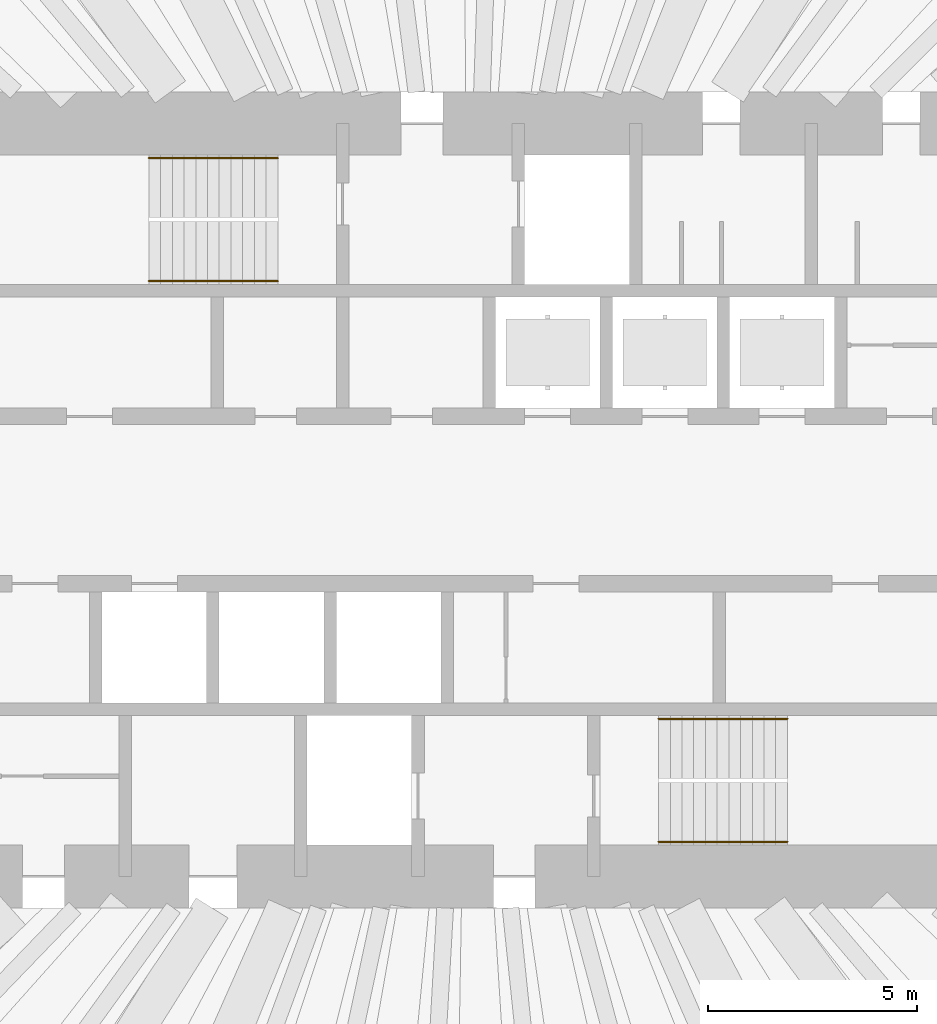
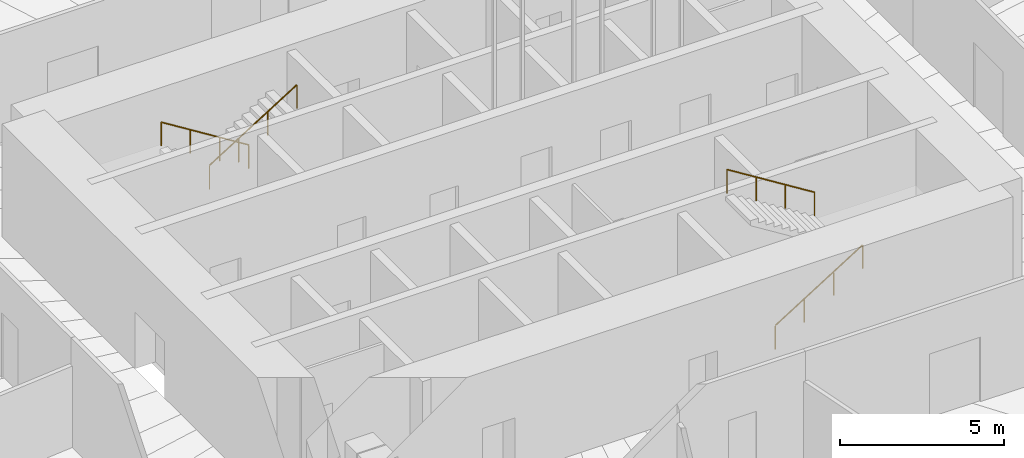
# One storey, part 13 of 20: 4 railings.
"""IFC4 building model written with IfcOpenShell, lengths in metres."""

from ifc_helpers import new_model, si_unit, direction, frame, origin, origin_2d, place, context, subcontext, project, spatial, circle, extrude, material, type_object, element, save


model = new_model("IFC4")

# Units and contexts
model_context = context("Model", 3, precision=1e-05, world=origin(), true_north=direction((0.0, 1.0)))
body_context = subcontext(model_context, "Body", "Model", "MODEL_VIEW")
ifc_project = project(units=[si_unit("LENGTHUNIT", "METRE"), si_unit("AREAUNIT", "SQUARE_METRE"), si_unit("VOLUMEUNIT", "CUBIC_METRE"), si_unit("PLANEANGLEUNIT", "RADIAN"), si_unit("MASSUNIT", "GRAM", prefix="KILO")], contexts=[model_context])

# Site, building, storey
site_placement = place(None, origin())
site = spatial("IfcSite", under=ifc_project, at=site_placement, CompositionType="ELEMENT")
building_placement = place(site_placement, origin())
building = spatial("IfcBuilding", under=site, at=building_placement, Name="Qingtian Harvest Tower", CompositionType="ELEMENT")
storey_placement = place(building_placement, frame((0.0, 0.0, 103.0)))
storey = spatial("IfcBuildingStorey", under=building, at=storey_placement, Name="L20", CompositionType="ELEMENT", Elevation=103.0)

# Railings
ifc_material = material(Name="Stainless steel handrail", Category="steel")
railing_type = type_object("IfcRailingType", Name="Handrail HR1", PredefinedType="HANDRAIL", material=ifc_material)
railing_1_placement = place(storey_placement, frame((-4.550048828125, 8.169921875, 0.175048828125)))
element("IfcRailing", 1, at=railing_1_placement, inside=storey, type_object=railing_type, Name="Handrail HR1 S1 flight 1", PredefinedType="HANDRAIL", context=body_context, shape_type="SweptSolid", body=[
    extrude(circle(Radius=0.02392578125, at=origin_2d()), frame((0.0, 0.0, 0.8759765625), z_axis=(-0.847979421464, 0.0, 0.530029150871), x_axis=(0.0, -1.0, 0.0)), (0.0, 0.0, 1.0), 3.632080078125),
    extrude(circle(Radius=0.02099609375, at=origin_2d()), origin(), (0.0, 0.0, 1.0), 0.851806640625),
    extrude(circle(Radius=0.02099609375, at=origin_2d()), frame((-1.026611328125, 0.0, 0.6416015625)), (0.0, 0.0, 1.0), 0.851806640625),
    extrude(circle(Radius=0.02099609375, at=origin_2d()), frame((-2.05322265625, 0.0, 1.283447265625)), (0.0, 0.0, 1.0), 0.851806640625),
    extrude(circle(Radius=0.02099609375, at=origin_2d()), frame((-3.079833984375, 0.0, 1.925048828125)), (0.0, 0.0, 1.0), 0.851806640625),
])
for number, where, name in (
    (2, (-7.6298828125, 5.22998046875, 2.27490234375), "Handrail HR1 S1 flight 2"),
    (3, (4.550048828125, -8.169921875, 0.175048828125), "Handrail HR1 S2 flight 1"),
):
    element("IfcRailing", number, at=place(storey_placement, frame(where)), inside=storey, type_object=railing_type, Name=name, PredefinedType="HANDRAIL", context=body_context, shape_type="SweptSolid", body=[
        extrude(circle(Radius=0.02392578125, at=origin_2d()), frame((0.0, 0.0, 0.8759765625), z_axis=(0.847979421464, 0.0, 0.530029150871), x_axis=(0.0, 1.0, 0.0)), (0.0, 0.0, 1.0), 3.632080078125),
        extrude(circle(Radius=0.02099609375, at=origin_2d()), origin(), (0.0, 0.0, 1.0), 0.851806640625),
        extrude(circle(Radius=0.02099609375, at=origin_2d()), frame((1.026611328125, 0.0, 0.6416015625)), (0.0, 0.0, 1.0), 0.851806640625),
        extrude(circle(Radius=0.02099609375, at=origin_2d()), frame((2.05322265625, 0.0, 1.283447265625)), (0.0, 0.0, 1.0), 0.851806640625),
        extrude(circle(Radius=0.02099609375, at=origin_2d()), frame((3.079833984375, 0.0, 1.925048828125)), (0.0, 0.0, 1.0), 0.851806640625),
    ])
railing_2_placement = place(storey_placement, frame((7.6298828125, -5.22998046875, 2.27490234375)))
element("IfcRailing", 4, at=railing_2_placement, inside=storey, type_object=railing_type, Name="Handrail HR1 S2 flight 2", PredefinedType="HANDRAIL", context=body_context, shape_type="SweptSolid", body=[
    extrude(circle(Radius=0.02392578125, at=origin_2d()), frame((0.0, 0.0, 0.8759765625), z_axis=(-0.847979421464, 0.0, 0.530029150871), x_axis=(0.0, -1.0, 0.0)), (0.0, 0.0, 1.0), 3.632080078125),
    extrude(circle(Radius=0.02099609375, at=origin_2d()), origin(), (0.0, 0.0, 1.0), 0.851806640625),
    extrude(circle(Radius=0.02099609375, at=origin_2d()), frame((-1.026611328125, 0.0, 0.6416015625)), (0.0, 0.0, 1.0), 0.851806640625),
    extrude(circle(Radius=0.02099609375, at=origin_2d()), frame((-2.05322265625, 0.0, 1.283447265625)), (0.0, 0.0, 1.0), 0.851806640625),
    extrude(circle(Radius=0.02099609375, at=origin_2d()), frame((-3.079833984375, 0.0, 1.925048828125)), (0.0, 0.0, 1.0), 0.851806640625),
])

save(model, "model.ifc")
